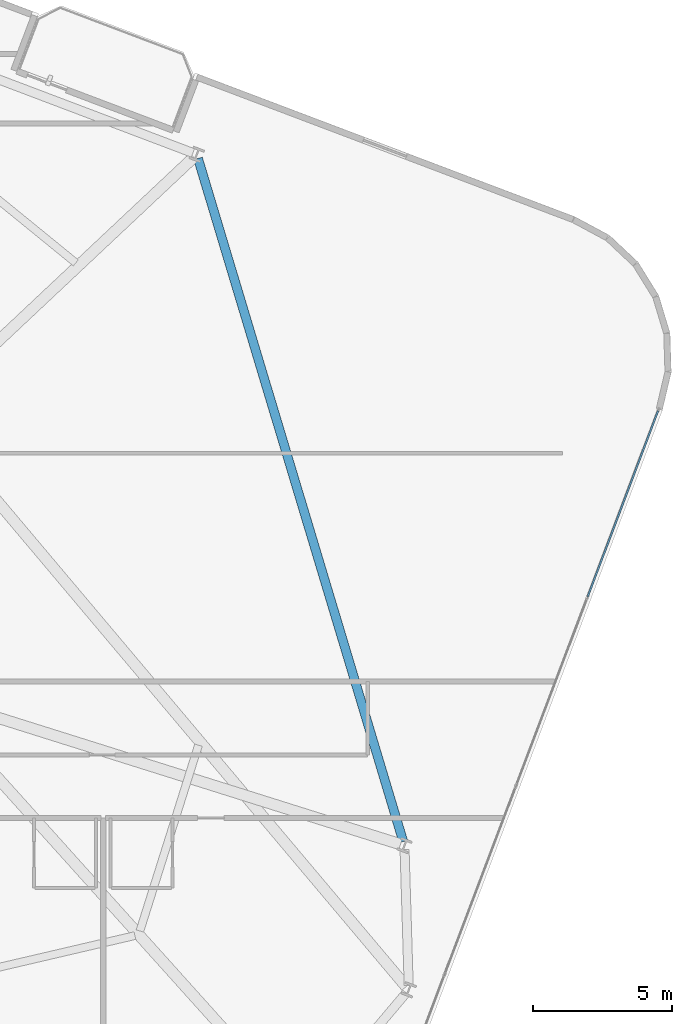
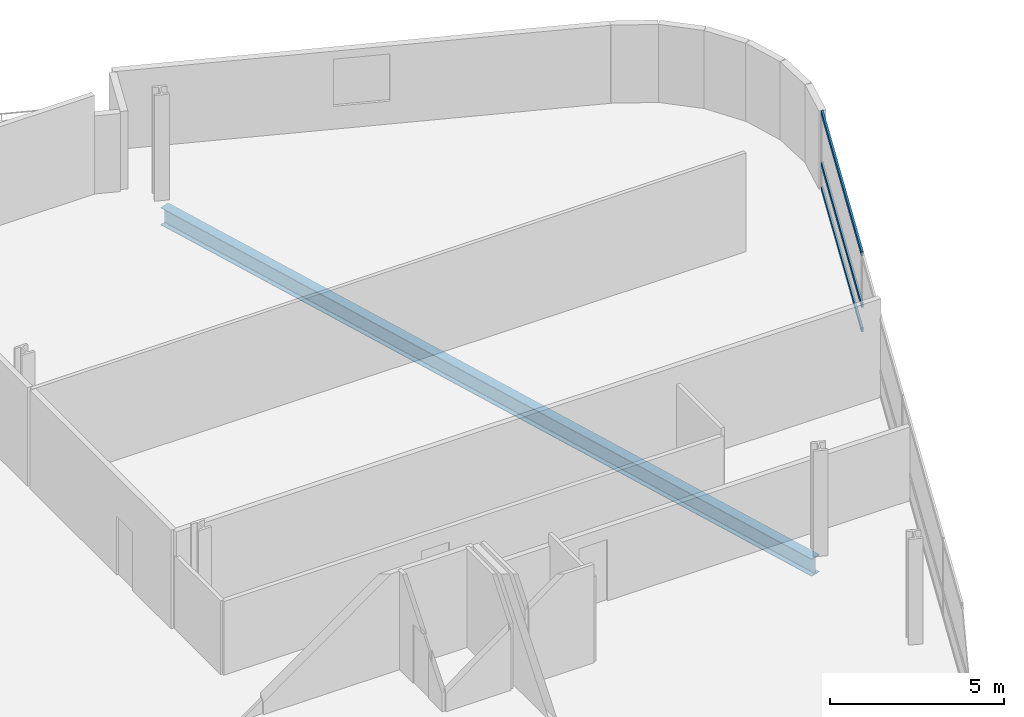
# One storey, part 15 of 26: 3 members, 1 beam, 1 element without a shape of its own.
"""IFC4 building model written with IfcOpenShell, lengths in metres."""

from ifc_helpers import new_model, si_unit, direction, frame, origin, origin_2d, place, context, subcontext, project, spatial, hollow_rectangle, i_section, extrude, material, layer, layer_set, material_profile, profile_set, type_object, element, aggregate, save


model = new_model("IFC4")

# Units and contexts
model_context = context("Model", 3, precision=1e-05, world=origin(), true_north=direction((0.0, 1.0)))
body_context = subcontext(model_context, "Body", "Model", "MODEL_VIEW")
ifc_project = project(units=[si_unit("LENGTHUNIT", "METRE"), si_unit("AREAUNIT", "SQUARE_METRE"), si_unit("VOLUMEUNIT", "CUBIC_METRE"), si_unit("PLANEANGLEUNIT", "RADIAN"), si_unit("MASSUNIT", "GRAM", prefix="KILO")], contexts=[model_context])

# Site, building, storey
site_placement = place(None, origin())
site = spatial("IfcSite", under=ifc_project, at=site_placement, CompositionType="ELEMENT")
building_placement = place(site_placement, origin())
building = spatial("IfcBuilding", under=site, at=building_placement, Name="Varnelok Gate Tower", CompositionType="ELEMENT")
storey_placement = place(building_placement, frame((0.0, 0.0, 109.5)))
storey = spatial("IfcBuildingStorey", under=building, at=storey_placement, Name="L27", CompositionType="ELEMENT", Elevation=109.5)

# Beam
ifc_material_1 = material(Name="Structural Steel ASTM A992 Grade 50", Category="steel")
ifc_material_profile_1 = material_profile(ifc_material_1, i_section(OverallWidth=0.323974609375, OverallDepth=0.611083984375, WebThickness=0.0126953125, FlangeThickness=0.01904296875, FilletRadius=0.01806640625, at=origin_2d()), Name="W24X104")
ifc_profile_set_1 = profile_set([ifc_material_profile_1], Name="Structural Steel ASTM A992 Grade 50")
beam_type = type_object("IfcBeamType", Name="BM-SPN-W24X104", PredefinedType="SPANDREL", material=ifc_profile_set_1)
beam_placement = place(storey_placement, frame((71.27587890625, 13.497802734375, -0.555419921875), z_axis=(-0.287745549664, 0.957706896001, 0.0), x_axis=(-0.957706896001, -0.287745549664, 0.0)))
element("IfcBeam", 1, at=beam_placement, inside=storey, type_object=beam_type, Name="L27 Perimeter Spandrel Beam 8", PredefinedType="SPANDREL", context=body_context, shape_type="SweptSolid", body=[
    extrude(i_section(OverallWidth=0.323974609375, OverallDepth=0.611083984375, WebThickness=0.0126953125, FlangeThickness=0.01904296875, FilletRadius=0.01806640625, at=origin_2d()), origin(), (0.0, 0.0, 1.0), 25.6259765625),
])

# Curtain wall, members
ifc_material_2 = material(Name="Anodized Aluminum Alloy 6063-T6", Category="aluminium")
ifc_layer = layer(ifc_material_2, 0.179931640625)
ifc_layer_set = layer_set([ifc_layer], Name="Anodized Aluminum Alloy 6063-T6")
curtain_wall_type = type_object("IfcCurtainWallType", Name="CW3-HOTEL-VISION", PredefinedType="USERDEFINED", material=ifc_layer_set)
curtain_wall_placement = place(storey_placement, origin())
curtain_wall = element("IfcCurtainWall", 2, at=curtain_wall_placement, inside=storey, type_object=curtain_wall_type, Name="L27 East End Vision Curtain Wall", ObjectType="UNITISED CURTAIN WALL", PredefinedType="USERDEFINED")
ifc_material_profile_2 = material_profile(ifc_material_2, hollow_rectangle(XDim=0.06494140625, YDim=0.159912109375, WallThickness=0.00390625, at=origin_2d()), Name="ALU160X65X4")
ifc_profile_set_2 = profile_set([ifc_material_profile_2], Name="Anodized Aluminum Alloy 6063-T6")
member_type = type_object("IfcMemberType", Name="CW-TRAN-160", PredefinedType="USERDEFINED", material=ifc_profile_set_2)
member_1_placement = place(storey_placement, frame((80.431884765625, 28.974365234375, 0.032470703125), z_axis=(-0.35404725046, -0.935227536187, 0.0), x_axis=(0.935227536187, -0.35404725046, 0.0)))
member_1 = element("IfcMember", 3, at=member_1_placement, type_object=member_type, Name="CW3 transom 1.1", ObjectType="TRANSOM", PredefinedType="USERDEFINED", context=body_context, shape_type="SweptSolid", body=[
    extrude(hollow_rectangle(XDim=0.06494140625, YDim=0.159912109375, WallThickness=0.00390625, at=origin_2d()), origin(), (0.0, 0.0, 1.0), 7.142578125),
])
member_2_placement = place(storey_placement, frame((80.431884765625, 28.974365234375, 0.89990234375), z_axis=(-0.35404725046, -0.935227536187, 0.0), x_axis=(0.935227536187, -0.35404725046, 0.0)))
member_2 = element("IfcMember", 4, at=member_2_placement, type_object=member_type, Name="CW3 transom 1.2", ObjectType="TRANSOM", PredefinedType="USERDEFINED", context=body_context, shape_type="SweptSolid", body=[
    extrude(hollow_rectangle(XDim=0.06494140625, YDim=0.159912109375, WallThickness=0.00390625, at=origin_2d()), origin(), (0.0, 0.0, 1.0), 7.142578125),
])
member_3_placement = place(storey_placement, frame((80.431884765625, 28.974365234375, 2.697509765625), z_axis=(-0.35404725046, -0.935227536187, 0.0), x_axis=(0.935227536187, -0.35404725046, 0.0)))
member_3 = element("IfcMember", 5, at=member_3_placement, type_object=member_type, Name="CW3 transom 1.3", ObjectType="TRANSOM", PredefinedType="USERDEFINED", context=body_context, shape_type="SweptSolid", body=[
    extrude(hollow_rectangle(XDim=0.06494140625, YDim=0.159912109375, WallThickness=0.00390625, at=origin_2d()), origin(), (0.0, 0.0, 1.0), 7.142578125),
])
aggregate(curtain_wall, [member_1, member_2, member_3])

save(model, "model.ifc")
